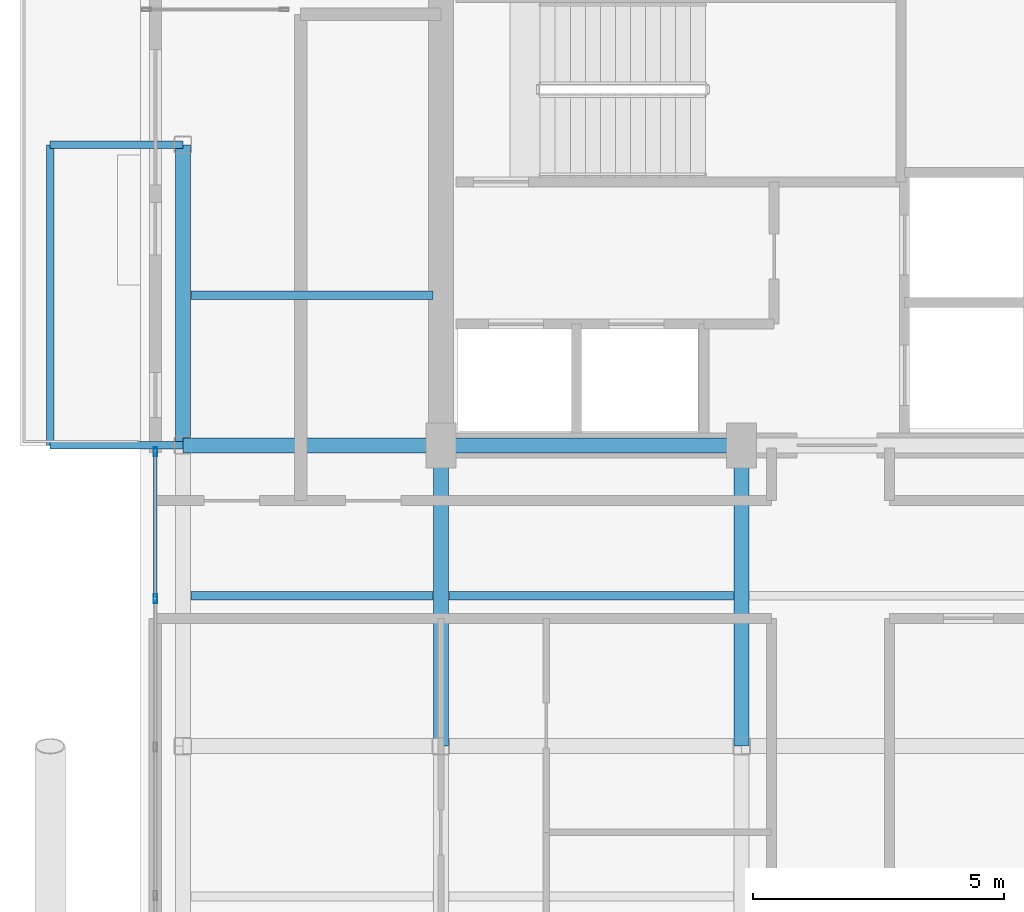
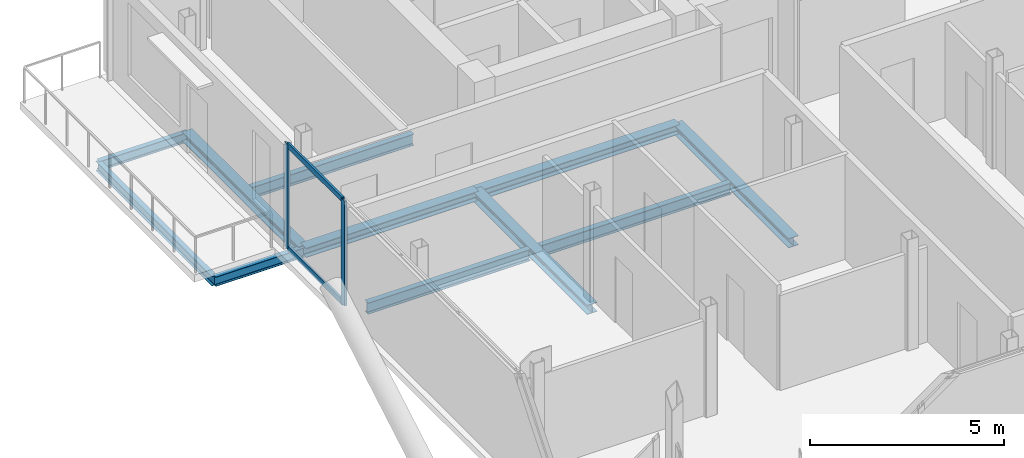
# One storey, part 7 of 19: 11 beams, 4 members, 1 element without a shape of its own.
"""IFC4 building model written with IfcOpenShell, lengths in metres."""

from ifc_helpers import new_model, si_unit, direction, frame, origin, origin_2d, place, context, subcontext, project, spatial, hollow_rectangle, i_section, extrude, material, layer, layer_set, material_profile, profile_set, type_object, element, aggregate, save


model = new_model("IFC4")

# Units and contexts
model_context = context("Model", 3, precision=1e-05, world=origin(), true_north=direction((0.0, 1.0)))
body_context = subcontext(model_context, "Body", "Model", "MODEL_VIEW")
ifc_project = project(units=[si_unit("LENGTHUNIT", "METRE"), si_unit("AREAUNIT", "SQUARE_METRE"), si_unit("VOLUMEUNIT", "CUBIC_METRE"), si_unit("PLANEANGLEUNIT", "RADIAN"), si_unit("MASSUNIT", "GRAM", prefix="KILO"), si_unit("THERMODYNAMICTEMPERATUREUNIT", "KELVIN"), si_unit("POWERUNIT", "WATT")], contexts=[model_context])

# Site, building, storey
site_placement = place(None, origin())
site = spatial("IfcSite", under=ifc_project, at=site_placement, CompositionType="ELEMENT")
building_placement = place(site_placement, origin())
building = spatial("IfcBuilding", under=site, at=building_placement, Name="Svarakhadi Broadcast Tower", CompositionType="ELEMENT")
storey_placement = place(building_placement, frame((0.0, 0.0, 243.199951171875)))
storey = spatial("IfcBuildingStorey", under=building, at=storey_placement, Name="L60", CompositionType="ELEMENT", Elevation=243.199951171875)

# Beams
ifc_material_1 = material(Name="Steel S355J2 (IS 2062 E350C)", Category="steel")
ifc_material_profile_1 = material_profile(ifc_material_1, i_section(OverallWidth=0.169921875, OverallDepth=0.360107421875, WebThickness=0.008056640625, FlangeThickness=0.0126953125, FilletRadius=0.01806640625, at=origin_2d()), Name="NPB 360x170x57")
ifc_profile_set_1 = profile_set([ifc_material_profile_1], Name="Steel S355J2 (IS 2062 E350C)")
beam_type_1 = type_object("IfcBeamType", Name="Beam_NPB360", PredefinedType="BEAM", material=ifc_profile_set_1)
for number, where, z_axis, x_axis, name in (
    (1, (1.010009765625, 15.0, -0.3798828125), (1.0, 0.0, 0.0), (0.0, 1.0, 0.0), "L60 Secondary Composite Beam SB002"),
    (2, (1.010009765625, 21.0, -0.3798828125), (1.0, 0.0, 0.0), (0.0, 1.0, 0.0), "L60 Secondary Composite Beam SB003"),
):
    element("IfcBeam", number, at=place(storey_placement, frame(where, z_axis=z_axis, x_axis=x_axis)), inside=storey, type_object=beam_type_1, Name=name, PredefinedType="BEAM", context=body_context, shape_type="SweptSolid", body=[
        extrude(i_section(OverallWidth=0.169921875, OverallDepth=0.360107421875, WebThickness=0.008056640625, FlangeThickness=0.0126953125, FilletRadius=0.01806640625, at=origin_2d()), origin(), (0.0, 0.0, 1.0), 4.830078125),
    ])
beam_1_placement = place(storey_placement, frame((6.159912109375, 15.0, -0.3798828125), z_axis=(1.0, 0.0, 0.0), x_axis=(0.0, 1.0, 0.0)))
element("IfcBeam", 3, at=beam_1_placement, inside=storey, type_object=beam_type_1, Name="L60 Secondary Composite Beam SB006", PredefinedType="BEAM", context=body_context, shape_type="SweptSolid", body=[
    extrude(i_section(OverallWidth=0.169921875, OverallDepth=0.360107421875, WebThickness=0.008056640625, FlangeThickness=0.0126953125, FilletRadius=0.01806640625, at=origin_2d()), origin(), (0.0, 0.0, 1.0), 5.68017578125),
])

# Curtain wall, members
ifc_material_2 = material(Name="Anodised Bronze Aluminium AA 6063-T6", Category="aluminium")
ifc_layer = layer(ifc_material_2, 0.179931640625)
ifc_layer_set = layer_set([ifc_layer], Name="Anodised Bronze Aluminium AA 6063-T6")
curtain_wall_type = type_object("IfcCurtainWallType", Name="CW_Sys_05", PredefinedType="NOTDEFINED", material=ifc_layer_set)
curtain_wall_placement = place(storey_placement, origin())
curtain_wall = element("IfcCurtainWall", 4, at=curtain_wall_placement, inside=storey, type_object=curtain_wall_type, Name="L60 West Curtain Wall 02", PredefinedType="NOTDEFINED")
ifc_material_profile_2 = material_profile(ifc_material_2, hollow_rectangle(XDim=0.070068359375, YDim=0.179931640625, WallThickness=0.005615234375, at=origin_2d()), Name="ALU MULLION 180x70x6")
ifc_profile_set_2 = profile_set([ifc_material_profile_2], Name="Anodised Bronze Aluminium AA 6063-T6")
member_type_1 = type_object("IfcMemberType", Name="CW_Sys_05_Mul", PredefinedType="MULLION", material=ifc_profile_set_2)
member_1_placement = place(storey_placement, frame((0.300048828125, 14.946044921875, 0.0), z_axis=(0.0, 0.0, 1.0), x_axis=(-1.0, 0.0, 0.0)))
member_1 = element("IfcMember", 5, at=member_1_placement, type_object=member_type_1, Name="CW-05 mullion 5", PredefinedType="MULLION", context=body_context, shape_type="SweptSolid", body=[
    extrude(hollow_rectangle(XDim=0.070068359375, YDim=0.179931640625, WallThickness=0.005615234375, at=origin_2d()), origin(), (0.0, 0.0, 1.0), 3.300048828125),
])
member_2_placement = place(storey_placement, frame((0.300048828125, 17.875, 0.0), z_axis=(0.0, 0.0, 1.0), x_axis=(-1.0, 0.0, 0.0)))
member_2 = element("IfcMember", 6, at=member_2_placement, type_object=member_type_1, Name="CW-05 mullion 6", PredefinedType="MULLION", context=body_context, shape_type="SweptSolid", body=[
    extrude(hollow_rectangle(XDim=0.070068359375, YDim=0.179931640625, WallThickness=0.005615234375, at=origin_2d()), origin(), (0.0, 0.0, 1.0), 3.300048828125),
])
ifc_material_profile_3 = material_profile(ifc_material_2, hollow_rectangle(XDim=0.06494140625, YDim=0.1650390625, WallThickness=0.0048828125, at=origin_2d()), Name="ALU TRANSOM 165x65x5")
ifc_profile_set_3 = profile_set([ifc_material_profile_3], Name="Anodised Bronze Aluminium AA 6063-T6")
member_type_2 = type_object("IfcMemberType", Name="CW_Sys_05_Trn", PredefinedType="USERDEFINED", material=ifc_profile_set_3)
member_3_placement = place(storey_placement, frame((0.300048828125, 14.98095703125, 0.032470703125), z_axis=(0.0, 1.0, 0.0), x_axis=(-1.0, 0.0, 0.0)))
member_3 = element("IfcMember", 7, at=member_3_placement, type_object=member_type_2, Name="CW-05 transom 5.1", ObjectType="TRANSOM", PredefinedType="USERDEFINED", context=body_context, shape_type="SweptSolid", body=[
    extrude(hollow_rectangle(XDim=0.06494140625, YDim=0.1650390625, WallThickness=0.0048828125, at=origin_2d()), origin(), (0.0, 0.0, 1.0), 2.859130859375),
])
member_4_placement = place(storey_placement, frame((0.300048828125, 14.98095703125, 3.267578125), z_axis=(0.0, 1.0, 0.0), x_axis=(-1.0, 0.0, 0.0)))
member_4 = element("IfcMember", 8, at=member_4_placement, type_object=member_type_2, Name="CW-05 transom 5.2", ObjectType="TRANSOM", PredefinedType="USERDEFINED", context=body_context, shape_type="SweptSolid", body=[
    extrude(hollow_rectangle(XDim=0.06494140625, YDim=0.1650390625, WallThickness=0.0048828125, at=origin_2d()), origin(), (0.0, 0.0, 1.0), 2.859130859375),
])
aggregate(curtain_wall, [member_1, member_2, member_3, member_4])

# Beams
ifc_material_profile_4 = material_profile(ifc_material_1, i_section(OverallWidth=0.300048828125, OverallDepth=0.300048828125, WebThickness=0.010986328125, FlangeThickness=0.01904296875, FilletRadius=0.027099609375, at=origin_2d()), Name="WPB 300x300x117")
ifc_profile_set_4 = profile_set([ifc_material_profile_4], Name="Steel S355J2 (IS 2062 E350C)")
beam_type_2 = type_object("IfcBeamType", Name="Girder_WPB300", PredefinedType="USERDEFINED", material=ifc_profile_set_4)
beam_2_placement = place(storey_placement, frame((0.85009765625, 18.0, -0.349853515625), z_axis=(1.0, 0.0, 0.0), x_axis=(0.0, 1.0, 0.0)))
element("IfcBeam", 9, at=beam_2_placement, inside=storey, type_object=beam_type_2, Name="L60 Primary E-W Girder G017", ObjectType="GIRDER", PredefinedType="USERDEFINED", context=body_context, shape_type="SweptSolid", body=[
    extrude(i_section(OverallWidth=0.300048828125, OverallDepth=0.300048828125, WebThickness=0.010986328125, FlangeThickness=0.01904296875, FilletRadius=0.027099609375, at=origin_2d()), origin(), (0.0, 0.0, 1.0), 5.14990234375),
])
for number, where, z_axis, x_axis, name in (
    (10, (6.0, 18.0, -0.349853515625), (1.0, 0.0, 0.0), (0.0, 1.0, 0.0), "L60 Primary E-W Girder G018"),
    (11, (0.85009765625, 18.0, -0.349853515625), (0.0, 1.0, 0.0), (-1.0, 0.0, 0.0), "L60 Primary N-S Girder G028"),
    (12, (6.0, 12.0, -0.349853515625), (0.0, 1.0, 0.0), (-1.0, 0.0, 0.0), "L60 Primary N-S Girder G031"),
    (13, (12.0, 12.0, -0.349853515625), (0.0, 1.0, 0.0), (-1.0, 0.0, 0.0), "L60 Primary N-S Girder G035"),
):
    element("IfcBeam", number, at=place(storey_placement, frame(where, z_axis=z_axis, x_axis=x_axis)), inside=storey, type_object=beam_type_2, Name=name, ObjectType="GIRDER", PredefinedType="USERDEFINED", context=body_context, shape_type="SweptSolid", body=[
        extrude(i_section(OverallWidth=0.300048828125, OverallDepth=0.300048828125, WebThickness=0.010986328125, FlangeThickness=0.01904296875, FilletRadius=0.027099609375, at=origin_2d()), origin(), (0.0, 0.0, 1.0), 6.0),
    ])
ifc_material_profile_5 = material_profile(ifc_material_1, i_section(OverallWidth=0.14990234375, OverallDepth=0.300048828125, WebThickness=0.007080078125, FlangeThickness=0.0107421875, FilletRadius=0.014892578125, at=origin_2d()), Name="NPB 300x150x37")
ifc_profile_set_5 = profile_set([ifc_material_profile_5], Name="Steel S355J2 (IS 2062 E350C)")
beam_type_3 = type_object("IfcBeamType", Name="Spandrel_NPB300", PredefinedType="SPANDREL", material=ifc_profile_set_5)
for number, where, z_axis, x_axis, name in (
    (14, (0.85009765625, 18.0, -0.375), (-1.0, 0.0, 0.0), (0.0, -1.0, 0.0), "L60 Balcony Cantilever Bracket 2A"),
    (15, (0.85009765625, 24.0, -0.375), (-1.0, 0.0, 0.0), (0.0, -1.0, 0.0), "L60 Balcony Cantilever Bracket 2B"),
):
    element("IfcBeam", number, at=place(storey_placement, frame(where, z_axis=z_axis, x_axis=x_axis)), inside=storey, type_object=beam_type_3, Name=name, PredefinedType="SPANDREL", context=body_context, shape_type="SweptSolid", body=[
        extrude(i_section(OverallWidth=0.14990234375, OverallDepth=0.300048828125, WebThickness=0.007080078125, FlangeThickness=0.0107421875, FilletRadius=0.014892578125, at=origin_2d()), origin(), (0.0, 0.0, 1.0), 2.650146484375),
    ])
beam_3_placement = place(storey_placement, frame((-1.800048828125, 18.0, -0.375), z_axis=(0.0, 1.0, 0.0), x_axis=(-1.0, 0.0, 0.0)))
element("IfcBeam", 16, at=beam_3_placement, inside=storey, type_object=beam_type_3, Name="L60 Balcony Outer Spandrel 2F", PredefinedType="SPANDREL", context=body_context, shape_type="SweptSolid", body=[
    extrude(i_section(OverallWidth=0.14990234375, OverallDepth=0.300048828125, WebThickness=0.007080078125, FlangeThickness=0.0107421875, FilletRadius=0.014892578125, at=origin_2d()), origin(), (0.0, 0.0, 1.0), 6.0),
])

save(model, "model.ifc")
